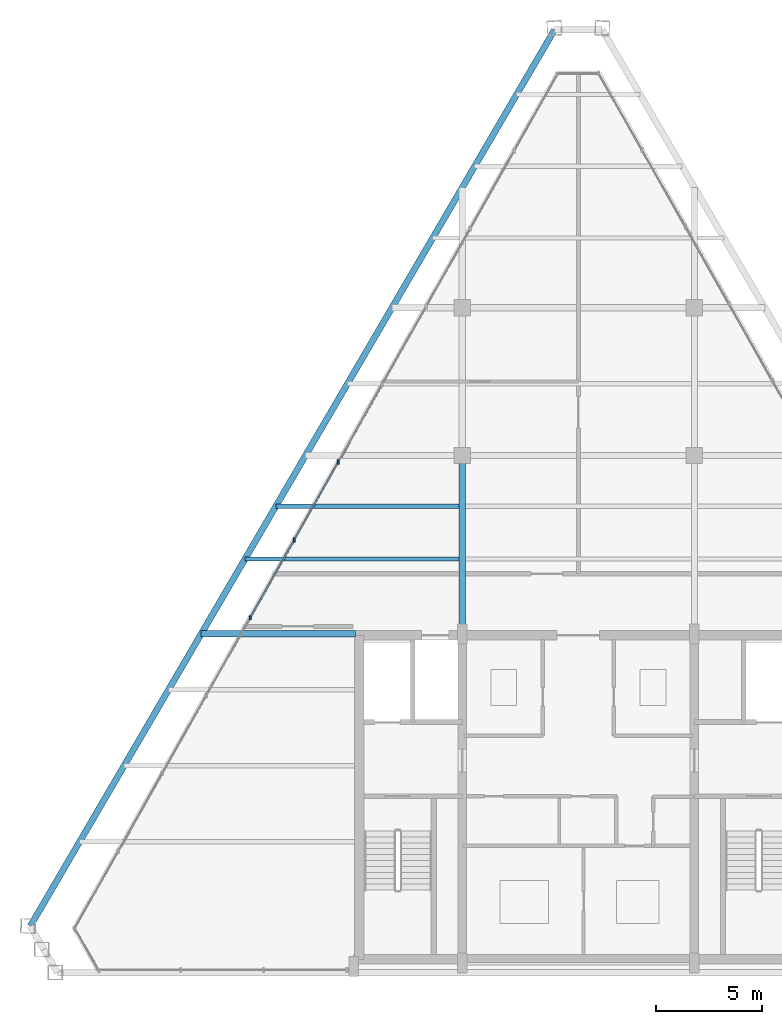
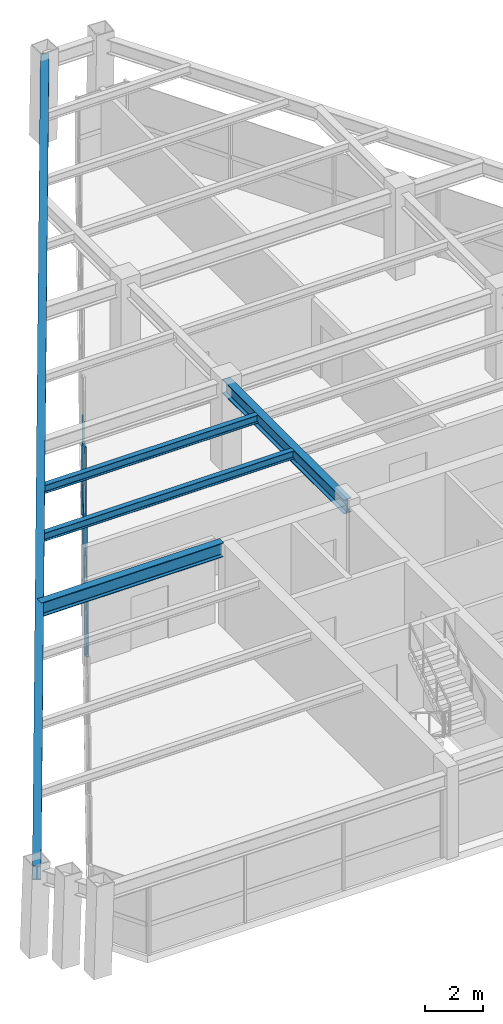
# One storey, part 4 of 12: 6 members, 5 beams, 1 element without a shape of its own.
"""IFC4 building model written with IfcOpenShell, lengths in metres."""

from ifc_helpers import new_model, si_unit, direction, frame, origin, origin_2d, place, context, subcontext, project, spatial, rectangle, i_section, extrude, source, transform, mapped, material, material_profile, profile_set, type_object, type_shapes, element, aggregate, save


model = new_model("IFC4")

# Units and contexts
model_context = context("Model", 3, precision=1e-05, world=origin(), true_north=direction((0.0, 1.0)))
body_context = subcontext(model_context, "Body", "Model", "MODEL_VIEW")
ifc_project = project(units=[si_unit("LENGTHUNIT", "METRE"), si_unit("AREAUNIT", "SQUARE_METRE"), si_unit("VOLUMEUNIT", "CUBIC_METRE"), si_unit("PLANEANGLEUNIT", "RADIAN"), si_unit("MASSUNIT", "GRAM", prefix="KILO")], contexts=[model_context])

# Site, building, storey
site_placement = place(None, origin())
site = spatial("IfcSite", under=ifc_project, at=site_placement, CompositionType="ELEMENT")
building_placement = place(site_placement, origin())
building = spatial("IfcBuilding", under=site, at=building_placement, Name="Varnakhor Terracotta Tower", CompositionType="ELEMENT")
storey_placement = place(building_placement, frame((0.0, 0.0, 317.5)))
storey = spatial("IfcBuildingStorey", under=building, at=storey_placement, Name="L83 Crown", CompositionType="ELEMENT", Elevation=317.5)

# Beams
ifc_material_1 = material(Name="Steel S355", Category="steel")
ifc_material_profile_1 = material_profile(ifc_material_1, i_section(OverallWidth=0.300048828125, OverallDepth=0.60009765625, WebThickness=0.015380859375, FlangeThickness=0.030029296875, FilletRadius=0.01806640625, at=origin_2d()), Name="HEB600")
ifc_profile_set_1 = profile_set([ifc_material_profile_1], Name="Steel S355")
beam_type_1 = type_object("IfcBeamType", Name="BM-HEB600", PredefinedType="BEAM", material=ifc_profile_set_1)
shared_shape_1 = source(origin(), body_context, "Body", "SweptSolid", [
    extrude(i_section(OverallWidth=0.300048828125, OverallDepth=0.60009765625, WebThickness=0.015380859375, FlangeThickness=0.030029296875, FilletRadius=0.01806640625, at=origin_2d()), origin(), (0.0, 0.0, 1.0), 8.449951171875),
])
beam_1_placement = place(storey_placement, frame((-5.5, 16.050048828125, 3.300048828125), z_axis=(0.0, 1.0, 0.0), x_axis=(-1.0, 0.0, 0.0)))
element("IfcBeam", 1, at=beam_1_placement, inside=storey, type_object=beam_type_1, Name="L83 Crown Primary Girder NS1-W", PredefinedType="BEAM", context=body_context, shape_type="MappedRepresentation", body=[
    mapped(shared_shape_1, transform((0.0, 0.0, 0.0), scale=1.0)),
])
shared_shape_2 = source(origin(), body_context, "Body", "SweptSolid", [
    extrude(i_section(OverallWidth=0.300048828125, OverallDepth=0.60009765625, WebThickness=0.015380859375, FlangeThickness=0.030029296875, FilletRadius=0.01806640625, at=origin_2d()), origin(), (0.0, 0.0, 1.0), 49.193115234375),
])
beam_2_placement = place(storey_placement, frame((-1.131103515625, 44.665771484375, 3.300048828125), z_axis=(-0.504850732007, -0.863206660304, 0.0), x_axis=(0.863206660304, -0.504850732007, 0.0)))
element("IfcBeam", 2, at=beam_2_placement, inside=storey, type_object=beam_type_1, Name="L83 Crown Perimeter Spandrel 6", PredefinedType="BEAM", context=body_context, shape_type="MappedRepresentation", body=[
    mapped(shared_shape_2, transform((0.0, 0.0, 0.0), scale=1.0)),
])
shared_shape_3 = source(origin(), body_context, "Body", "SweptSolid", [
    extrude(i_section(OverallWidth=0.300048828125, OverallDepth=0.60009765625, WebThickness=0.015380859375, FlangeThickness=0.030029296875, FilletRadius=0.01806640625, at=origin_2d()), origin(), (0.0, 0.0, 1.0), 7.317138671875),
])
beam_3_placement = place(storey_placement, frame((-17.8671875, 16.050048828125, 3.300048828125), z_axis=(1.0, 0.0, 0.0), x_axis=(0.0, 1.0, 0.0)))
element("IfcBeam", 3, at=beam_3_placement, inside=storey, type_object=beam_type_1, Name="L83 Crown Wing Girder W", PredefinedType="BEAM", context=body_context, shape_type="MappedRepresentation", body=[
    mapped(shared_shape_3, transform((0.0, 0.0, 0.0), scale=1.0)),
])
ifc_material_profile_2 = material_profile(ifc_material_1, i_section(OverallWidth=0.202880859375, OverallDepth=0.346923828125, WebThickness=0.0078125, FlangeThickness=0.013427734375, FilletRadius=0.01806640625, at=origin_2d()), Name="W14X43")
ifc_profile_set_2 = profile_set([ifc_material_profile_2], Name="Steel S355")
beam_type_2 = type_object("IfcBeamType", Name="JST-W14X43", PredefinedType="JOIST", material=ifc_profile_set_2)
shared_shape_4 = source(origin(), body_context, "Body", "SweptSolid", [
    extrude(i_section(OverallWidth=0.202880859375, OverallDepth=0.346923828125, WebThickness=0.0078125, FlangeThickness=0.013427734375, FilletRadius=0.01806640625, at=origin_2d()), origin(), (0.0, 0.0, 1.0), 10.14501953125),
])
beam_4_placement = place(storey_placement, frame((-15.791015625, 19.60009765625, 3.426513671875), z_axis=(1.0, 0.0, 0.0), x_axis=(0.0, 1.0, 0.0)))
element("IfcBeam", 4, at=beam_4_placement, inside=storey, type_object=beam_type_2, Name="L83 Crown Composite Floor Joist 4-1", PredefinedType="JOIST", context=body_context, shape_type="MappedRepresentation", body=[
    mapped(shared_shape_4, transform((0.0, 0.0, 0.0), scale=1.0)),
])
shared_shape_5 = source(origin(), body_context, "Body", "SweptSolid", [
    extrude(i_section(OverallWidth=0.202880859375, OverallDepth=0.346923828125, WebThickness=0.0078125, FlangeThickness=0.013427734375, FilletRadius=0.01806640625, at=origin_2d()), origin(), (0.0, 0.0, 1.0), 8.6826171875),
])
beam_5_placement = place(storey_placement, frame((-14.32861328125, 22.10009765625, 3.426513671875), z_axis=(1.0, 0.0, 0.0), x_axis=(0.0, 1.0, 0.0)))
element("IfcBeam", 5, at=beam_5_placement, inside=storey, type_object=beam_type_2, Name="L83 Crown Composite Floor Joist 5-1", PredefinedType="JOIST", context=body_context, shape_type="MappedRepresentation", body=[
    mapped(shared_shape_5, transform((0.0, 0.0, 0.0), scale=1.0)),
])

# Curtain wall, members
ifc_material_2 = material(Name="Anodised Aluminium Curtain Wall System", Category="aluminium")
curtain_wall_type = type_object("IfcCurtainWallType", Name="CW-SYS-CROWN", PredefinedType="NOTDEFINED", material=ifc_material_2)
curtain_wall_placement = place(storey_placement, origin())
curtain_wall = element("IfcCurtainWall", 6, at=curtain_wall_placement, inside=storey, type_object=curtain_wall_type, Name="L83 Crown Facet Curtain Wall 1", PredefinedType="NOTDEFINED")
ifc_material_3 = material(Name="Anodised Aluminium 6063-T6", Category="aluminium")
ifc_material_profile_3 = material_profile(ifc_material_3, rectangle(XDim=0.080078125, YDim=0.205078125, at=origin_2d()), Name="ALU MULLION 80x205")
ifc_profile_set_3 = profile_set([ifc_material_profile_3], Name="Anodised Aluminium 6063-T6")
member_type_1 = type_object("IfcMemberType", Name="CWM-06", PredefinedType="MULLION", material=ifc_profile_set_3)
shared_shape_6 = source(origin(), body_context, "Body", "SweptSolid", [
    extrude(rectangle(XDim=0.080078125, YDim=0.205078125, at=origin_2d()), origin(), (0.0, 0.0, 1.0), 2.97998046875),
])
type_shapes(member_type_1, [shared_shape_6])
member_1_placement = place(storey_placement, frame((-15.541015625, 16.81640625, 0.0), z_axis=(0.0, 0.0, 1.0), x_axis=(1.0, 0.0, 0.0)))
member_1 = element("IfcMember", 7, at=member_1_placement, type_object=member_type_1, Name="L83 Crown Facet Curtain Wall 1 Mullion 5", PredefinedType="MULLION", context=body_context, shape_type="MappedRepresentation", body=[
    mapped(shared_shape_6, transform((0.0, 0.0, 0.0), scale=1.0)),
])
member_2_placement = place(storey_placement, frame((-13.457275390625, 20.50244140625, 0.0), z_axis=(0.0, 0.0, 1.0), x_axis=(1.0, 0.0, 0.0)))
member_2 = element("IfcMember", 8, at=member_2_placement, type_object=member_type_1, Name="L83 Crown Facet Curtain Wall 1 Mullion 6", PredefinedType="MULLION", context=body_context, shape_type="MappedRepresentation", body=[
    mapped(shared_shape_6, transform((0.0, 0.0, 0.0), scale=1.0)),
])
member_3_placement = place(storey_placement, frame((-11.37353515625, 24.1884765625, 0.0), z_axis=(0.0, 0.0, 1.0), x_axis=(1.0, 0.0, 0.0)))
member_3 = element("IfcMember", 9, at=member_3_placement, type_object=member_type_1, Name="L83 Crown Facet Curtain Wall 1 Mullion 7", PredefinedType="MULLION", context=body_context, shape_type="MappedRepresentation", body=[
    mapped(shared_shape_6, transform((0.0, 0.0, 0.0), scale=1.0)),
])
ifc_material_profile_4 = material_profile(ifc_material_3, rectangle(XDim=0.080078125, YDim=0.179931640625, at=origin_2d()), Name="ALU TRANSOM 80x180")
ifc_profile_set_4 = profile_set([ifc_material_profile_4], Name="Anodised Aluminium 6063-T6")
member_type_2 = type_object("IfcMemberType", Name="CWT-06", PredefinedType="USERDEFINED", material=ifc_profile_set_4)
shared_shape_7 = source(origin(), body_context, "Body", "SweptSolid", [
    extrude(rectangle(XDim=0.080078125, YDim=0.179931640625, at=origin_2d()), origin(), (0.0, 0.0, 1.0), 4.234130859375),
])
member_4_placement = place(storey_placement, frame((-15.541015625, 16.81640625, 1.251708984375), z_axis=(0.492116153224, 0.870529546734, 0.0), x_axis=(-0.870529546734, 0.492116153224, 0.0)))
member_4 = element("IfcMember", 10, at=member_4_placement, type_object=member_type_2, Name="L83 Crown Facet Curtain Wall 1 Transom 5", ObjectType="TRANSOM", PredefinedType="USERDEFINED", context=body_context, shape_type="MappedRepresentation", body=[
    mapped(shared_shape_7, transform((0.0, 0.0, 0.0), scale=1.0)),
])
member_5_placement = place(storey_placement, frame((-13.457275390625, 20.50244140625, 1.251708984375), z_axis=(0.492116153224, 0.870529546734, 0.0), x_axis=(-0.870529546734, 0.492116153224, 0.0)))
member_5 = element("IfcMember", 11, at=member_5_placement, type_object=member_type_2, Name="L83 Crown Facet Curtain Wall 1 Transom 6", ObjectType="TRANSOM", PredefinedType="USERDEFINED", context=body_context, shape_type="MappedRepresentation", body=[
    mapped(shared_shape_7, transform((0.0, 0.0, 0.0), scale=1.0)),
])
member_6_placement = place(storey_placement, frame((-11.37353515625, 24.1884765625, 1.251708984375), z_axis=(0.492072456426, 0.870554247377, 0.0), x_axis=(-0.870554247377, 0.492072456426, 0.0)))
member_6 = element("IfcMember", 12, at=member_6_placement, type_object=member_type_2, Name="L83 Crown Facet Curtain Wall 1 Transom 7", ObjectType="TRANSOM", PredefinedType="USERDEFINED", context=body_context, shape_type="MappedRepresentation", body=[
    mapped(shared_shape_7, transform((0.0, 0.0, 0.0), scale=1.0)),
])
aggregate(curtain_wall, [member_1, member_4, member_2, member_5, member_3, member_6])

save(model, "model.ifc")
